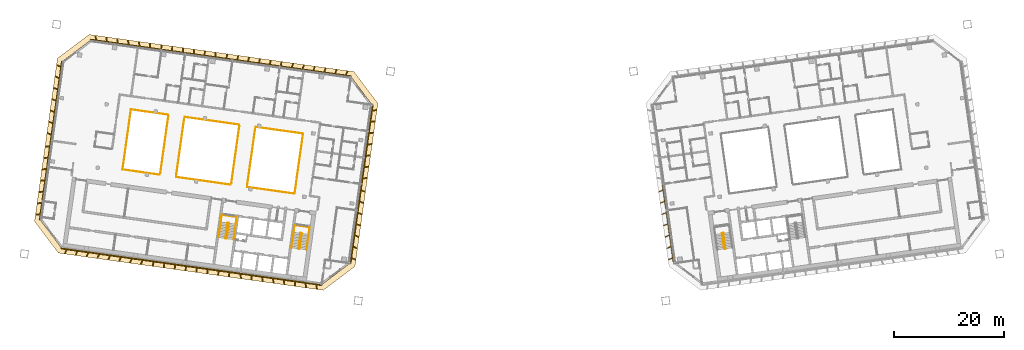
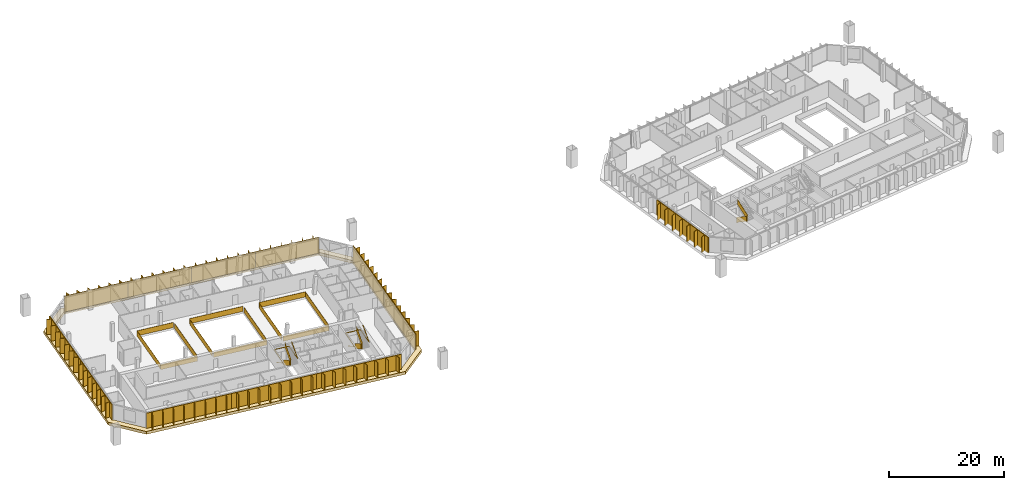
# One storey, part 22 of 23: 13 railings, 12 shading devices, 1 covering.
"""IFC4 building model written with IfcOpenShell, lengths in metres."""

import ifcopenshell
import ifcopenshell.guid

model = None  # the IFC model being written
_history = None  # IfcOwnerHistory: only IFC2X3 demands one
_inside = {}  # id of a spatial element -> (the spatial element, [elements in it])
_under = {}  # id of a project, library or spatial element -> (it, [spatial elements below it])
_declared = {}  # id of a project -> (the project, [libraries it declares])
_typed = {}  # id of a type object -> (the type object, [elements of that type])
_made_of = {}  # id of a material, layer set ... -> (it, [elements and type objects made of it])


def new_model(schema):
    """Start an empty IFC model of exactly this schema.

    Asked for "IFC4X3", IfcOpenShell would pick the latest addendum, in which some entities
    have other attributes; the version numbers below select the first issue.
    IFC2X3 requires an IfcOwnerHistory on every rooted entity: one is made here for all.
    """
    global model, _history
    if schema == "IFC4X3":
        model = ifcopenshell.file(schema_version=(4, 3, 0, 0))
    else:
        model = ifcopenshell.file(schema=schema)
    _inside.clear()
    _under.clear()
    _declared.clear()
    _typed.clear()
    _made_of.clear()
    _history = None
    if model.schema == "IFC2X3":
        org = make("IfcOrganization", Name="unknown")
        user = make(
            "IfcPersonAndOrganization",
            ThePerson=make("IfcPerson", FamilyName="unknown"),
            TheOrganization=org,
        )
        app = make(
            "IfcApplication",
            ApplicationDeveloper=org,
            Version="unknown",
            ApplicationFullName="unknown",
            ApplicationIdentifier="unknown",
        )
        _history = make(
            "IfcOwnerHistory",
            OwningUser=user,
            OwningApplication=app,
            ChangeAction="ADDED",
            CreationDate=0,
        )
    return model


def make(cls, **values):
    """One entity of the class cls with the attributes given. An attribute that is None is left unset."""
    return model.create_entity(
        cls, **{name: value for name, value in values.items() if value is not None}
    )


def rooted(cls, **values):
    """An entity with a GlobalId (a new one), such as an element, a storey or a relation."""
    return make(cls, GlobalId=ifcopenshell.guid.new(), OwnerHistory=_history, **values)


def si_unit(unit_type, name, prefix=None):
    """IfcSIUnit, for example si_unit("LENGTHUNIT", "METRE", prefix="MILLI")."""
    return make("IfcSIUnit", UnitType=unit_type, Prefix=prefix, Name=name)


def assignment(units):
    """IfcUnitAssignment: the units of a project."""
    return None if units is None else make("IfcUnitAssignment", Units=units)


def point(xyz):
    """IfcCartesianPoint."""
    return None if xyz is None else make("IfcCartesianPoint", Coordinates=xyz)


def direction(xyz):
    """IfcDirection."""
    return None if xyz is None else make("IfcDirection", DirectionRatios=xyz)


def frame(location, z_axis=None, x_axis=None):
    """IfcAxis2Placement3D, a coordinate frame: its origin and axes. An axis left out is left unset."""
    return make(
        "IfcAxis2Placement3D",
        Location=point(location),
        Axis=direction(z_axis),
        RefDirection=direction(x_axis),
    )


def frame_2d(location, x_axis=None):
    """IfcAxis2Placement2D, a coordinate frame in the plane: its origin and x axis."""
    return make(
        "IfcAxis2Placement2D", Location=point(location), RefDirection=direction(x_axis)
    )


def origin():
    """The frame at (0, 0, 0) with its axes left unset."""
    return frame((0.0, 0.0, 0.0))


def origin_2d():
    """The frame at (0, 0) in the plane with its x axis left unset."""
    return frame_2d((0.0, 0.0))


def place(relative_to, where):
    """IfcLocalPlacement: puts the frame where relative to a parent placement (None: the world)."""
    return make(
        "IfcLocalPlacement", PlacementRelTo=relative_to, RelativePlacement=where
    )


def context(
    kind, dimensions, precision=None, world=None, true_north=None, identifier=None
):
    """IfcGeometricRepresentationContext, for example the 3D "Model" context."""
    return make(
        "IfcGeometricRepresentationContext",
        ContextIdentifier=identifier,
        ContextType=kind,
        CoordinateSpaceDimension=dimensions,
        Precision=precision,
        WorldCoordinateSystem=world,
        TrueNorth=true_north,
    )


def subcontext(parent, identifier, kind, view, scale=None):
    """IfcGeometricRepresentationSubContext, for example "Body" below "Model"."""
    return make(
        "IfcGeometricRepresentationSubContext",
        ContextIdentifier=identifier,
        ContextType=kind,
        ParentContext=parent,
        TargetScale=scale,
        TargetView=view,
    )


def project(units=None, contexts=None):
    """IfcProject with its units and contexts."""
    return rooted(
        "IfcProject",
        Name="project",
        RepresentationContexts=contexts,
        UnitsInContext=assignment(units),
    )


def spatial(cls, under=None, at=None, **own):
    """A site, building, storey or space (cls), placed at a placement, below another one or the project."""
    s = rooted(cls, ObjectPlacement=at, **own)
    if under is not None:
        _under.setdefault(under.id(), (under, []))[1].append(s)
    return s


def polyline(points):
    """IfcPolyline through the points."""
    return make("IfcPolyline", Points=[point(p) for p in points])


def profile(cls, at=None, kind="AREA", **sizes):
    """A parametric profile (cls). Its sizes go by their IFC names, for example OverallWidth=200.0."""
    return make(cls, ProfileType=kind, Position=at, **sizes)


def rectangle(**sizes):
    """IfcRectangleProfileDef."""
    return profile("IfcRectangleProfileDef", **sizes)


def outline(outer, holes=None, kind="AREA"):
    """IfcArbitraryClosedProfileDef: a profile drawn as a closed curve; with holes, ...WithVoids."""
    if holes is None:
        return make("IfcArbitraryClosedProfileDef", ProfileType=kind, OuterCurve=outer)
    return make(
        "IfcArbitraryProfileDefWithVoids",
        ProfileType=kind,
        OuterCurve=outer,
        InnerCurves=holes,
    )


def extrude(swept, where, along, depth):
    """IfcExtrudedAreaSolid: the profile swept, set in the frame where, extruded along a direction by depth."""
    return make(
        "IfcExtrudedAreaSolid",
        SweptArea=swept,
        Position=where,
        ExtrudedDirection=direction(along),
        Depth=depth,
    )


def shape(context_of_items, identifier, shape_type, items):
    """IfcShapeRepresentation: the items that make up one representation, for example the "Body"."""
    return make(
        "IfcShapeRepresentation",
        ContextOfItems=context_of_items,
        RepresentationIdentifier=identifier,
        RepresentationType=shape_type,
        Items=items,
    )


def material(Name=None, Category=None):
    """IfcMaterial."""
    return make("IfcMaterial", Name=Name, Category=Category)


def layer(
    of_material, thickness, ventilated=None, Name=None, Category=None, Priority=None
):
    """IfcMaterialLayer: one layer of a wall or slab, of a material (None: an air gap)."""
    return make(
        "IfcMaterialLayer",
        Material=of_material,
        LayerThickness=thickness,
        IsVentilated=ventilated,
        Name=Name,
        Category=Category,
        Priority=Priority,
    )


def layer_set(layers, Name=None):
    """IfcMaterialLayerSet."""
    return make("IfcMaterialLayerSet", MaterialLayers=layers, LayerSetName=Name)


def made_of(thing, what):
    """Note that an element or type object is made of a material, layer set ...; save() writes the relation."""
    if what is not None:
        _made_of.setdefault(what.id(), (what, []))[1].append(thing)
    return thing


def type_object(cls, material=None, **own):
    """A type object (cls), such as IfcWallType, which elements share."""
    return made_of(rooted(cls, **own), material)


def element(
    cls,
    number,
    at=None,
    inside=None,
    cuts=None,
    type_object=None,
    material=None,
    context=None,
    identifier="Body",
    shape_type=None,
    held_by="IfcProductDefinitionShape",
    body=None,
    shapes=None,
    **own,
):
    """One element of the class cls, such as IfcWall. Its Tag is "e" and its number.

    at: its placement. inside: the storey or other place that contains it. cuts: it is an
    opening in that element (IfcRelVoidsElement). A single representation is given by context,
    identifier, shape_type and body (its items); several are given by shapes. held_by: the class
    of the entity that holds the representations. save() writes the other relations.
    """
    e = rooted(cls, Tag="e%d" % number, ObjectPlacement=at, **own)
    if body is not None:
        shapes = [shape(context, identifier, shape_type, body)]
    if shapes is not None:
        e.Representation = make(held_by, Representations=shapes)
    if inside is not None:
        _inside.setdefault(inside.id(), (inside, []))[1].append(e)
    if cuts is not None:
        rooted(
            "IfcRelVoidsElement", RelatingBuildingElement=cuts, RelatedOpeningElement=e
        )
    if type_object is not None:
        _typed.setdefault(type_object.id(), (type_object, []))[1].append(e)
    return made_of(e, material)


def aggregate(whole, parts):
    """IfcRelAggregates: a whole, such as a stair, and the parts it consists of."""
    return rooted("IfcRelAggregates", RelatingObject=whole, RelatedObjects=parts)


def save(model, path):
    """Write the relations noted so far, then the file.

    IfcRelAggregates (storeys below a building ...), IfcRelContainedInSpatialStructure (elements
    in a storey), IfcRelDefinesByType, IfcRelAssociatesMaterial and IfcRelDeclares: one each for
    every whole, place, type object, material and project.
    """
    for whole, parts in _under.values():
        aggregate(whole, parts)
    for where, things in _inside.values():
        rooted(
            "IfcRelContainedInSpatialStructure",
            RelatedElements=things,
            RelatingStructure=where,
        )
    for kind, things in _typed.values():
        rooted("IfcRelDefinesByType", RelatedObjects=things, RelatingType=kind)
    for what, things in _made_of.values():
        rooted("IfcRelAssociatesMaterial", RelatedObjects=things, RelatingMaterial=what)
    for by, libraries in _declared.values():
        rooted("IfcRelDeclares", RelatingContext=by, RelatedDefinitions=libraries)
    model.write(path)


model = new_model("IFC4")

# Units and contexts
model_context = context("Model", 3, precision=1e-05, world=origin(), true_north=direction((0.0, 1.0)))
body_context = subcontext(model_context, "Body", "Model", "MODEL_VIEW")
ifc_project = project(units=[si_unit("LENGTHUNIT", "METRE"), si_unit("AREAUNIT", "SQUARE_METRE"), si_unit("VOLUMEUNIT", "CUBIC_METRE"), si_unit("PLANEANGLEUNIT", "RADIAN"), si_unit("MASSUNIT", "GRAM", prefix="KILO")], contexts=[model_context])

# Site, building, storey
site_placement = place(None, origin())
site = spatial("IfcSite", under=ifc_project, at=site_placement, CompositionType="ELEMENT")
building_placement = place(site_placement, origin())
building = spatial("IfcBuilding", under=site, at=building_placement, Name="Mirante Cascada Hotel Towers", CompositionType="ELEMENT")
storey_placement = place(building_placement, frame((0.0, 0.0, 199.2)))
storey = spatial("IfcBuildingStorey", under=building, at=storey_placement, Name="L47", CompositionType="ELEMENT", Elevation=199.2)

# Railings
ifc_material_1 = material(Name="Toughened glass with stainless steel handrail", Category="steel")
railing_type_1 = type_object("IfcRailingType", Name="Atrium guard 1100 glass balustrade", PredefinedType="GUARDRAIL", material=ifc_material_1)
railing_1_placement = place(storey_placement, frame((-46.4429, 7.9856, 0.0)))
element("IfcRailing", 1, at=railing_1_placement, inside=storey, type_object=railing_type_1, Name="GUARD 1-L47-1", PredefinedType="GUARDRAIL", context=body_context, shape_type="SweptSolid", body=[
    extrude(rectangle(XDim=0.048, YDim=0.048, at=origin_2d()), frame((0.0, 0.0, 1.076), z_axis=(0.990268, -0.1391739, 0.0), x_axis=(0.1391739, 0.990268, 0.0)), (0.0, 0.0, 1.0), 8.6726),
    extrude(rectangle(XDim=0.02, YDim=1.052, at=origin_2d()), frame((0.0, 0.0, 0.526), z_axis=(0.990268, -0.1391739, 0.0), x_axis=(0.1391739, 0.990268, 0.0)), (0.0, 0.0, 1.0), 8.6726),
    extrude(rectangle(XDim=0.048, YDim=0.048, at=origin_2d()), frame((8.5882, -1.207, 1.076), z_axis=(-0.1391721, -0.9902682, 0.0), x_axis=(0.9902682, -0.1391721, 0.0)), (0.0, 0.0, 1.0), 11.0001),
    extrude(rectangle(XDim=0.02, YDim=1.052, at=origin_2d()), frame((8.5882, -1.207, 0.526), z_axis=(-0.1391721, -0.9902682, 0.0), x_axis=(0.9902682, -0.1391721, 0.0)), (0.0, 0.0, 1.0), 11.0001),
    extrude(rectangle(XDim=0.048, YDim=0.048, at=origin_2d()), frame((7.0573, -12.1, 1.076), z_axis=(-0.990268, 0.1391739, 0.0), x_axis=(-0.1391739, -0.990268, 0.0)), (0.0, 0.0, 1.0), 8.6726),
    extrude(rectangle(XDim=0.02, YDim=1.052, at=origin_2d()), frame((7.0573, -12.1, 0.526), z_axis=(-0.990268, 0.1391739, 0.0), x_axis=(-0.1391739, -0.990268, 0.0)), (0.0, 0.0, 1.0), 8.6726),
])
railing_2_placement = place(storey_placement, frame((-50.9446, -2.4898, 0.0)))
element("IfcRailing", 2, at=railing_2_placement, inside=storey, type_object=railing_type_1, Name="GUARD 1-L47-2", PredefinedType="GUARDRAIL", context=body_context, shape_type="SweptSolid", body=[
    extrude(rectangle(XDim=0.048, YDim=0.048, at=origin_2d()), frame((0.0, 0.0, 1.076), z_axis=(-0.990269, 0.1391664, 0.0), x_axis=(-0.1391664, -0.990269, 0.0)), (0.0, 0.0, 1.0), 9.9974),
    extrude(rectangle(XDim=0.02, YDim=1.052, at=origin_2d()), frame((0.0, 0.0, 0.526), z_axis=(-0.990269, 0.1391664, 0.0), x_axis=(-0.1391664, -0.990269, 0.0)), (0.0, 0.0, 1.0), 9.9974),
])
railing_3_placement = place(storey_placement, frame((-59.3138, 9.7945, 0.0)))
element("IfcRailing", 3, at=railing_3_placement, inside=storey, type_object=railing_type_1, Name="GUARD 1-L47-3", PredefinedType="GUARDRAIL", context=body_context, shape_type="SweptSolid", body=[
    extrude(rectangle(XDim=0.048, YDim=0.048, at=origin_2d()), frame((0.0, 0.0, 1.076), z_axis=(0.9902676, -0.1391762, 0.0), x_axis=(0.1391762, 0.9902676, 0.0)), (0.0, 0.0, 1.0), 9.9974),
    extrude(rectangle(XDim=0.02, YDim=1.052, at=origin_2d()), frame((0.0, 0.0, 0.526), z_axis=(0.9902676, -0.1391762, 0.0), x_axis=(0.1391762, 0.9902676, 0.0)), (0.0, 0.0, 1.0), 9.9974),
])
railing_4_placement = place(storey_placement, frame((-63.8156, -0.6809, 0.0)))
element("IfcRailing", 4, at=railing_4_placement, inside=storey, type_object=railing_type_1, Name="GUARD 1-L47-4", PredefinedType="GUARDRAIL", context=body_context, shape_type="SweptSolid", body=[
    extrude(rectangle(XDim=0.048, YDim=0.048, at=origin_2d()), frame((0.0, 0.0, 1.076), z_axis=(-0.9902688, 0.1391682, 0.0), x_axis=(-0.1391682, -0.9902688, 0.0)), (0.0, 0.0, 1.0), 6.8299),
    extrude(rectangle(XDim=0.02, YDim=1.052, at=origin_2d()), frame((0.0, 0.0, 0.526), z_axis=(-0.9902688, 0.1391682, 0.0), x_axis=(-0.1391682, -0.9902688, 0.0)), (0.0, 0.0, 1.0), 6.8299),
    extrude(rectangle(XDim=0.048, YDim=0.048, at=origin_2d()), frame((-6.7634, 0.9505, 1.076), z_axis=(0.1391733, 0.990268, 0.0), x_axis=(-0.990268, 0.1391733, 0.0)), (0.0, 0.0, 1.0), 11.0),
    extrude(rectangle(XDim=0.02, YDim=1.052, at=origin_2d()), frame((-6.7634, 0.9505, 0.526), z_axis=(0.1391733, 0.990268, 0.0), x_axis=(-0.990268, 0.1391733, 0.0)), (0.0, 0.0, 1.0), 11.0),
    extrude(rectangle(XDim=0.048, YDim=0.048, at=origin_2d()), frame((-5.2325, 11.8434, 1.076), z_axis=(0.990269, -0.1391662, 0.0), x_axis=(0.1391662, 0.990269, 0.0)), (0.0, 0.0, 1.0), 6.83),
    extrude(rectangle(XDim=0.02, YDim=1.052, at=origin_2d()), frame((-5.2325, 11.8434, 0.526), z_axis=(0.990269, -0.1391662, 0.0), x_axis=(0.1391662, 0.990269, 0.0)), (0.0, 0.0, 1.0), 6.83),
])
railing_5_placement = place(storey_placement, frame((-63.7258, -0.395, 0.0)))
element("IfcRailing", 5, at=railing_5_placement, inside=storey, type_object=railing_type_1, Name="GUARD 1-L47-5", PredefinedType="GUARDRAIL", context=body_context, shape_type="SweptSolid", body=[
    extrude(rectangle(XDim=0.048, YDim=0.048, at=origin_2d()), frame((0.0, 0.0, 1.076), z_axis=(0.1391721, 0.9902682, 0.0), x_axis=(-0.9902682, 0.1391721, 0.0)), (0.0, 0.0, 1.0), 10.4087),
    extrude(rectangle(XDim=0.02, YDim=1.052, at=origin_2d()), frame((0.0, 0.0, 0.526), z_axis=(0.1391721, 0.9902682, 0.0), x_axis=(-0.9902682, 0.1391721, 0.0)), (0.0, 0.0, 1.0), 10.4087),
])
railing_6_placement = place(storey_placement, frame((-59.4036, 9.5085, 0.0)))
element("IfcRailing", 6, at=railing_6_placement, inside=storey, type_object=railing_type_1, Name="GUARD 1-L47-6", PredefinedType="GUARDRAIL", context=body_context, shape_type="SweptSolid", body=[
    extrude(rectangle(XDim=0.048, YDim=0.048, at=origin_2d()), frame((0.0, 0.0, 1.076), z_axis=(-0.1391721, -0.9902682, 0.0), x_axis=(0.9902682, -0.1391721, 0.0)), (0.0, 0.0, 1.0), 10.4087),
    extrude(rectangle(XDim=0.02, YDim=1.052, at=origin_2d()), frame((0.0, 0.0, 0.526), z_axis=(-0.1391721, -0.9902682, 0.0), x_axis=(0.9902682, -0.1391721, 0.0)), (0.0, 0.0, 1.0), 10.4087),
])
railing_7_placement = place(storey_placement, frame((-50.8549, -2.2039, 0.0)))
element("IfcRailing", 7, at=railing_7_placement, inside=storey, type_object=railing_type_1, Name="GUARD 1-L47-7", PredefinedType="GUARDRAIL", context=body_context, shape_type="SweptSolid", body=[
    extrude(rectangle(XDim=0.048, YDim=0.048, at=origin_2d()), frame((0.0, 0.0, 1.076), z_axis=(0.1391721, 0.9902682, 0.0), x_axis=(-0.9902682, 0.1391721, 0.0)), (0.0, 0.0, 1.0), 10.4087),
    extrude(rectangle(XDim=0.02, YDim=1.052, at=origin_2d()), frame((0.0, 0.0, 0.526), z_axis=(0.1391721, 0.9902682, 0.0), x_axis=(-0.9902682, 0.1391721, 0.0)), (0.0, 0.0, 1.0), 10.4087),
])
railing_8_placement = place(storey_placement, frame((-46.5326, 7.6996, 0.0)))
element("IfcRailing", 8, at=railing_8_placement, inside=storey, type_object=railing_type_1, Name="GUARD 1-L47-8", PredefinedType="GUARDRAIL", context=body_context, shape_type="SweptSolid", body=[
    extrude(rectangle(XDim=0.048, YDim=0.048, at=origin_2d()), frame((0.0, 0.0, 1.076), z_axis=(-0.1391721, -0.9902682, 0.0), x_axis=(0.9902682, -0.1391721, 0.0)), (0.0, 0.0, 1.0), 10.4087),
    extrude(rectangle(XDim=0.02, YDim=1.052, at=origin_2d()), frame((0.0, 0.0, 0.526), z_axis=(-0.1391721, -0.9902682, 0.0), x_axis=(0.9902682, -0.1391721, 0.0)), (0.0, 0.0, 1.0), 10.4087),
])

# Covering
ifc_material_2 = material(Name="Precast concrete C40/50 white", Category="concrete")
ifc_layer = layer(ifc_material_2, 0.6)
ifc_layer_set = layer_set([ifc_layer], Name="Precast concrete SUNSHADE band 1000x600")
covering_type = type_object("IfcCoveringType", Name="Precast concrete SUNSHADE band 1000x600", PredefinedType="CLADDING", material=ifc_layer_set)
covering_placement = place(storey_placement, frame((0.0, 0.0, -0.45)))
element("IfcCovering", 9, at=covering_placement, inside=storey, type_object=covering_type, Name="Precast concrete SUNSHADE band T1 L47", PredefinedType="CLADDING", context=body_context, shape_type="SweptSolid", body=[
    extrude(outline(polyline([(-86.5404, -9.1145), (-82.3891, 20.4236), (-76.645, 24.7521), (-28.631, 18.0042), (-24.3025, 12.2601), (-28.4539, -17.2781), (-34.1979, -21.6066), (-82.2119, -14.8586), (-86.5404, -9.1145)]), holes=[polyline([(-25.3505, 11.989), (-29.1804, 17.0715), (-76.374, 23.7042), (-81.4565, 19.8742), (-85.4925, -8.8435), (-81.6626, -13.926), (-34.469, -20.5587), (-29.3865, -16.7287), (-25.3505, 11.989)])]), origin(), (0.0, 0.0, 1.0), 0.6),
])

# Railings
ifc_material_3 = material(Name="Painted steel", Category="steel")
railing_type_2 = type_object("IfcRailingType", Name="Stair guard 1100 steel balustrade", PredefinedType="GUARDRAIL", material=ifc_material_3)
railing_9_placement = place(storey_placement, frame((-38.1178, -11.2603, 0.0)))
element("IfcRailing", 10, at=railing_9_placement, inside=storey, type_object=railing_type_2, Name="L47 ST1-A stair guard 1", PredefinedType="GUARDRAIL", context=body_context, shape_type="SweptSolid", body=[
    extrude(rectangle(XDim=0.048, YDim=0.048, at=origin_2d()), frame((0.0, 0.0, 1.076), z_axis=(-0.9903326, 0.1387133, 0.0), x_axis=(-0.1387133, -0.9903326, 0.0)), (0.0, 0.0, 1.0), 0.1499),
    extrude(rectangle(XDim=0.02, YDim=1.052, at=origin_2d()), frame((0.0, 0.0, 0.526), z_axis=(-0.9903326, 0.1387133, 0.0), x_axis=(-0.1387133, -0.9903326, 0.0)), (0.0, 0.0, 1.0), 0.1499),
    extrude(rectangle(XDim=0.048, YDim=0.048, at=origin_2d()), frame((-0.1485, 0.0208, 1.076), z_axis=(-0.7991505, -0.6011309, 0.0), x_axis=(0.6011309, -0.7991505, 0.0)), (0.0, 0.9254529, 0.3788627), 0.1866),
    extrude(rectangle(XDim=0.02, YDim=1.052, at=origin_2d()), frame((-0.1485, 0.0208, 0.526), z_axis=(-0.7991505, -0.6011309, 0.0), x_axis=(0.6011309, -0.7991505, 0.0)), (0.0, 0.9254529, 0.3788627), 0.1866),
    extrude(rectangle(XDim=0.048, YDim=0.048, at=origin_2d()), frame((-0.205, -0.0217, 1.2487), z_axis=(-0.139176, -0.9902677, 0.0), x_axis=(0.9902677, -0.139176, 0.0)), (0.0, 0.5250212, 0.8510891), 3.29),
    extrude(rectangle(XDim=0.02, YDim=1.052, at=origin_2d()), frame((-0.205, -0.0217, 0.6987), z_axis=(-0.139176, -0.9902677, 0.0), x_axis=(0.9902677, -0.139176, 0.0)), (0.0, 0.5250212, 0.8510891), 3.29),
    extrude(rectangle(XDim=0.048, YDim=0.048, at=origin_2d()), frame((-0.5947, -2.7945, 2.976), z_axis=(0.9270311, -0.3749843, 0.0), x_axis=(0.3749843, 0.9270311, 0.0)), (0.0, 0.0, 1.0), 0.2061),
    extrude(rectangle(XDim=0.02, YDim=1.052, at=origin_2d()), frame((-0.5947, -2.7945, 2.426), z_axis=(0.9270311, -0.3749843, 0.0), x_axis=(0.3749843, 0.9270311, 0.0)), (0.0, 0.0, 1.0), 0.2061),
    extrude(rectangle(XDim=0.048, YDim=0.048, at=origin_2d()), frame((-0.4036, -2.8718, 2.976), z_axis=(-0.9902408, 0.1393672, 0.0), x_axis=(-0.1393672, -0.9902408, 0.0)), (0.0, 0.0, 1.0), 0.15),
    extrude(rectangle(XDim=0.02, YDim=1.052, at=origin_2d()), frame((-0.4036, -2.8718, 2.426), z_axis=(-0.9902408, 0.1393672, 0.0), x_axis=(-0.1393672, -0.9902408, 0.0)), (0.0, 0.0, 1.0), 0.15),
    extrude(rectangle(XDim=0.048, YDim=0.048, at=origin_2d()), frame((-0.5521, -2.8509, 2.976), z_axis=(0.9944948, 0.1047858, 0.0), x_axis=(-0.1047858, 0.9944948, 0.0)), (0.0, 0.6422034, 0.7665343), 0.2689),
    extrude(rectangle(XDim=0.02, YDim=1.052, at=origin_2d()), frame((-0.5521, -2.8509, 2.426), z_axis=(0.9944948, 0.1047858, 0.0), x_axis=(-0.1047858, 0.9944948, 0.0)), (0.0, 0.6422034, 0.7665343), 0.2689),
    extrude(rectangle(XDim=0.048, YDim=0.048, at=origin_2d()), frame((-0.3471, -2.8293, 3.1487), z_axis=(0.139176, 0.9902677, 0.0), x_axis=(-0.9902677, 0.139176, 0.0)), (0.0, 0.5250212, 0.8510891), 3.29),
    extrude(rectangle(XDim=0.02, YDim=1.052, at=origin_2d()), frame((-0.3471, -2.8293, 2.5987), z_axis=(0.139176, 0.9902677, 0.0), x_axis=(-0.9902677, 0.139176, 0.0)), (0.0, 0.5250212, 0.8510891), 3.29),
])
railing_10_placement = place(storey_placement, frame((-51.3379, -9.4024, 0.0)))
element("IfcRailing", 11, at=railing_10_placement, inside=storey, type_object=railing_type_2, Name="L47 ST1-B stair guard 1", PredefinedType="GUARDRAIL", context=body_context, shape_type="SweptSolid", body=[
    extrude(rectangle(XDim=0.048, YDim=0.048, at=origin_2d()), frame((0.0, 0.0, 1.076), z_axis=(-0.9902408, 0.1393672, 0.0), x_axis=(-0.1393672, -0.9902408, 0.0)), (0.0, 0.0, 1.0), 0.15),
    extrude(rectangle(XDim=0.02, YDim=1.052, at=origin_2d()), frame((0.0, 0.0, 0.526), z_axis=(-0.9902408, 0.1393672, 0.0), x_axis=(-0.1393672, -0.9902408, 0.0)), (0.0, 0.0, 1.0), 0.15),
    extrude(rectangle(XDim=0.048, YDim=0.048, at=origin_2d()), frame((-0.1485, 0.0209, 1.076), z_axis=(-0.7984711, -0.6020331, 0.0), x_axis=(0.6020331, -0.7984711, 0.0)), (0.0, 0.9253398, 0.3791387), 0.1866),
    extrude(rectangle(XDim=0.02, YDim=1.052, at=origin_2d()), frame((-0.1485, 0.0209, 0.526), z_axis=(-0.7984711, -0.6020331, 0.0), x_axis=(0.6020331, -0.7984711, 0.0)), (0.0, 0.9253398, 0.3791387), 0.1866),
    extrude(rectangle(XDim=0.048, YDim=0.048, at=origin_2d()), frame((-0.205, -0.0217, 1.2487), z_axis=(-0.139181, -0.990267, 0.0), x_axis=(0.990267, -0.139181, 0.0)), (0.0, 0.5250347, 0.8510808), 3.2899),
    extrude(rectangle(XDim=0.02, YDim=1.052, at=origin_2d()), frame((-0.205, -0.0217, 0.6987), z_axis=(-0.139181, -0.990267, 0.0), x_axis=(0.990267, -0.139181, 0.0)), (0.0, 0.5250347, 0.8510808), 3.2899),
    extrude(rectangle(XDim=0.048, YDim=0.048, at=origin_2d()), frame((-0.5947, -2.7944, 2.976), z_axis=(0.9268624, -0.3754011, 0.0), x_axis=(0.3754011, 0.9268624, 0.0)), (0.0, 0.0, 1.0), 0.2062),
    extrude(rectangle(XDim=0.02, YDim=1.052, at=origin_2d()), frame((-0.5947, -2.7944, 2.426), z_axis=(0.9268624, -0.3754011, 0.0), x_axis=(0.3754011, 0.9268624, 0.0)), (0.0, 0.0, 1.0), 0.2062),
    extrude(rectangle(XDim=0.048, YDim=0.048, at=origin_2d()), frame((-0.4036, -2.8718, 2.976), z_axis=(-0.9902408, 0.1393672, 0.0), x_axis=(-0.1393672, -0.9902408, 0.0)), (0.0, 0.0, 1.0), 0.15),
    extrude(rectangle(XDim=0.02, YDim=1.052, at=origin_2d()), frame((-0.4036, -2.8718, 2.426), z_axis=(-0.9902408, 0.1393672, 0.0), x_axis=(-0.1393672, -0.9902408, 0.0)), (0.0, 0.0, 1.0), 0.15),
    extrude(rectangle(XDim=0.048, YDim=0.048, at=origin_2d()), frame((-0.5521, -2.8509, 2.976), z_axis=(0.9944441, 0.1052656, 0.0), x_axis=(-0.1052656, 0.9944441, 0.0)), (0.0, 0.6421842, 0.7665504), 0.2689),
    extrude(rectangle(XDim=0.02, YDim=1.052, at=origin_2d()), frame((-0.5521, -2.8509, 2.426), z_axis=(0.9944441, 0.1052656, 0.0), x_axis=(-0.1052656, 0.9944441, 0.0)), (0.0, 0.6421842, 0.7665504), 0.2689),
    extrude(rectangle(XDim=0.048, YDim=0.048, at=origin_2d()), frame((-0.3471, -2.8292, 3.1487), z_axis=(0.139181, 0.990267, 0.0), x_axis=(-0.990267, 0.139181, 0.0)), (0.0, 0.5250347, 0.8510808), 3.2899),
    extrude(rectangle(XDim=0.02, YDim=1.052, at=origin_2d()), frame((-0.3471, -2.8292, 2.5987), z_axis=(0.139181, 0.990267, 0.0), x_axis=(-0.990267, 0.139181, 0.0)), (0.0, 0.5250347, 0.8510808), 3.2899),
])
railing_11_placement = place(storey_placement, frame((38.2663, -11.2395, 0.0)))
element("IfcRailing", 12, at=railing_11_placement, inside=storey, type_object=railing_type_2, Name="L47 ST2-A stair guard 1", PredefinedType="GUARDRAIL", context=body_context, shape_type="SweptSolid", body=[
    extrude(rectangle(XDim=0.048, YDim=0.048, at=origin_2d()), frame((0.0, 0.0, 1.076), z_axis=(-0.9903326, -0.1387133, 0.0), x_axis=(0.1387133, -0.9903326, 0.0)), (0.0, 0.0, 1.0), 0.1499),
    extrude(rectangle(XDim=0.02, YDim=1.052, at=origin_2d()), frame((0.0, 0.0, 0.526), z_axis=(-0.9903326, -0.1387133, 0.0), x_axis=(0.1387133, -0.9903326, 0.0)), (0.0, 0.0, 1.0), 0.1499),
    extrude(rectangle(XDim=0.048, YDim=0.048, at=origin_2d()), frame((-0.1485, -0.0208, 1.076), z_axis=(-0.6020331, -0.7984711, 0.0), x_axis=(0.7984711, -0.6020331, 0.0)), (0.0, 0.9253398, 0.3791387), 0.1866),
    extrude(rectangle(XDim=0.02, YDim=1.052, at=origin_2d()), frame((-0.1485, -0.0208, 0.526), z_axis=(-0.6020331, -0.7984711, 0.0), x_axis=(0.7984711, -0.6020331, 0.0)), (0.0, 0.9253398, 0.3791387), 0.1866),
    extrude(rectangle(XDim=0.048, YDim=0.048, at=origin_2d()), frame((-0.1911, -0.0773, 1.2487), z_axis=(0.139176, -0.9902677, 0.0), x_axis=(0.9902677, 0.139176, 0.0)), (0.0, 0.5250212, 0.8510891), 3.29),
    extrude(rectangle(XDim=0.02, YDim=1.052, at=origin_2d()), frame((-0.1911, -0.0773, 0.6987), z_axis=(0.139176, -0.9902677, 0.0), x_axis=(0.9902677, 0.139176, 0.0)), (0.0, 0.5250212, 0.8510891), 3.29),
    extrude(rectangle(XDim=0.048, YDim=0.048, at=origin_2d()), frame((0.1986, -2.8501, 2.976), z_axis=(0.9944948, -0.1047858, 0.0), x_axis=(0.1047858, 0.9944948, 0.0)), (0.0, 0.0, 1.0), 0.2061),
    extrude(rectangle(XDim=0.02, YDim=1.052, at=origin_2d()), frame((0.1986, -2.8501, 2.426), z_axis=(0.9944948, -0.1047858, 0.0), x_axis=(0.1047858, 0.9944948, 0.0)), (0.0, 0.0, 1.0), 0.2061),
    extrude(rectangle(XDim=0.048, YDim=0.048, at=origin_2d()), frame((0.4036, -2.8717, 2.976), z_axis=(-0.9902408, -0.1393672, 0.0), x_axis=(0.1393672, -0.9902408, 0.0)), (0.0, 0.0, 1.0), 0.15),
    extrude(rectangle(XDim=0.02, YDim=1.052, at=origin_2d()), frame((0.4036, -2.8717, 2.426), z_axis=(-0.9902408, -0.1393672, 0.0), x_axis=(0.1393672, -0.9902408, 0.0)), (0.0, 0.0, 1.0), 0.15),
    extrude(rectangle(XDim=0.048, YDim=0.048, at=origin_2d()), frame((0.2551, -2.8926, 2.976), z_axis=(0.9270311, 0.3749843, 0.0), x_axis=(-0.3749843, 0.9270311, 0.0)), (0.0, 0.6421903, 0.7665452), 0.2689),
    extrude(rectangle(XDim=0.02, YDim=1.052, at=origin_2d()), frame((0.2551, -2.8926, 2.426), z_axis=(0.9270311, 0.3749843, 0.0), x_axis=(-0.3749843, 0.9270311, 0.0)), (0.0, 0.6421903, 0.7665452), 0.2689),
    extrude(rectangle(XDim=0.048, YDim=0.048, at=origin_2d()), frame((0.4462, -2.8153, 3.1487), z_axis=(-0.139176, 0.9902677, 0.0), x_axis=(-0.9902677, -0.139176, 0.0)), (0.0, 0.5250212, 0.8510891), 3.29),
    extrude(rectangle(XDim=0.02, YDim=1.052, at=origin_2d()), frame((0.4462, -2.8153, 2.5987), z_axis=(-0.139176, 0.9902677, 0.0), x_axis=(-0.9902677, -0.139176, 0.0)), (0.0, 0.5250212, 0.8510891), 3.29),
])
ifc_material_4 = material(Name="Painted steel", Category="steel")
railing_type_3 = type_object("IfcRailingType", Name="Stair handrail 900 steel tube", PredefinedType="HANDRAIL", material=ifc_material_4)
railing_12_placement = place(storey_placement, frame((-39.5606, -11.1081, 0.1727)))
element("IfcRailing", 13, at=railing_12_placement, inside=storey, type_object=railing_type_3, Name="L47 ST1-A stair handrail 1", PredefinedType="HANDRAIL", context=body_context, shape_type="SweptSolid", body=[
    extrude(rectangle(XDim=0.048, YDim=0.048, at=origin_2d()), frame((0.0, 0.0, 0.876), z_axis=(-0.139181, -0.990267, 0.0), x_axis=(0.990267, -0.139181, 0.0)), (0.0, 0.5250347, 0.8510808), 3.2899),
    extrude(rectangle(XDim=0.048, YDim=0.048, at=origin_2d()), frame((-0.3897, -2.7727, 2.6033), z_axis=(0.1391707, 0.9902684, 0.0), x_axis=(-0.9902684, 0.1391707, 0.0)), (0.0, 0.0420846, 0.999114), 4.1036),
    extrude(rectangle(XDim=0.048, YDim=0.048, at=origin_2d()), frame((0.1809, 1.2874, 2.776), z_axis=(0.9902691, -0.1391657, 0.0), x_axis=(0.1391657, 0.9902691, 0.0)), (0.0, 0.0, 1.0), 2.75),
    extrude(rectangle(XDim=0.048, YDim=0.048, at=origin_2d()), frame((2.9041, 0.9047, 2.776), z_axis=(-0.1391707, -0.9902684, 0.0), x_axis=(0.9902684, -0.1391707, 0.0)), (0.0, 0.0, 1.0), 4.1),
    extrude(rectangle(XDim=0.048, YDim=0.048, at=origin_2d()), frame((2.3335, -3.1554, 2.776), z_axis=(0.139181, 0.990267, 0.0), x_axis=(-0.990267, 0.139181, 0.0)), (0.0, 0.5250347, 0.8510808), 3.2899),
])
railing_13_placement = place(storey_placement, frame((-52.7807, -9.2501, 0.1727)))
element("IfcRailing", 14, at=railing_13_placement, inside=storey, type_object=railing_type_3, Name="L47 ST1-B stair handrail 1", PredefinedType="HANDRAIL", context=body_context, shape_type="SweptSolid", body=[
    extrude(rectangle(XDim=0.048, YDim=0.048, at=origin_2d()), frame((0.0, 0.0, 0.876), z_axis=(-0.139181, -0.990267, 0.0), x_axis=(0.990267, -0.139181, 0.0)), (0.0, 0.5250347, 0.8510808), 3.2899),
    extrude(rectangle(XDim=0.048, YDim=0.048, at=origin_2d()), frame((-0.3897, -2.7727, 2.6033), z_axis=(0.1391707, 0.9902684, 0.0), x_axis=(-0.9902684, 0.1391707, 0.0)), (0.0, 0.0420846, 0.999114), 4.1036),
    extrude(rectangle(XDim=0.048, YDim=0.048, at=origin_2d()), frame((0.1809, 1.2874, 2.776), z_axis=(0.9902641, -0.1392013, 0.0), x_axis=(0.1392013, 0.9902641, 0.0)), (0.0, 0.0, 1.0), 2.75),
    extrude(rectangle(XDim=0.048, YDim=0.048, at=origin_2d()), frame((2.9041, 0.9046, 2.776), z_axis=(-0.1391707, -0.9902684, 0.0), x_axis=(0.9902684, -0.1391707, 0.0)), (0.0, 0.0, 1.0), 4.1),
    extrude(rectangle(XDim=0.048, YDim=0.048, at=origin_2d()), frame((2.3335, -3.1555, 2.776), z_axis=(0.139176, 0.9902677, 0.0), x_axis=(-0.9902677, 0.139176, 0.0)), (0.0, 0.5250212, 0.8510891), 3.29),
])

# Shading devices
ifc_material_5 = material(Name="White precast concrete C50/60 fin", Category="concrete")
shading_device_type = type_object("IfcShadingDeviceType", Name="Vertical fin set 4500x900", PredefinedType="USERDEFINED", material=ifc_material_5)
shading_device_1_placement = place(storey_placement, origin())
element("IfcShadingDevice", 15, at=shading_device_1_placement, inside=storey, type_object=shading_device_type, Name="FIN T1 L47 front 1", ObjectType="FIN", PredefinedType="USERDEFINED", context=body_context, shape_type="SweptSolid", body=[
    extrude(outline(polyline([(-65.6148, 23.1814), (-65.5102, 22.3288), (-64.5547, 22.1945), (-64.5756, 22.046), (-76.374, 23.7042), (-76.3531, 23.8527), (-75.4242, 23.7222), (-75.5262, 24.5534), (-75.4468, 24.5632), (-75.3422, 23.7106), (-73.4578, 23.4458), (-73.5598, 24.2771), (-73.4804, 24.2868), (-73.3758, 23.4343), (-71.4914, 23.1694), (-71.5934, 24.0007), (-71.514, 24.0105), (-71.4094, 23.1579), (-69.525, 22.8931), (-69.627, 23.7243), (-69.5476, 23.7341), (-69.443, 22.8815), (-67.5586, 22.6167), (-67.6606, 23.448), (-67.5812, 23.4577), (-67.4766, 22.6052), (-65.5922, 22.3404), (-65.6942, 23.1716), (-65.6148, 23.1814)])), origin(), (0.0, 0.0, 1.0), 3.35),
])
shading_device_2_placement = place(storey_placement, origin())
element("IfcShadingDevice", 16, at=shading_device_2_placement, inside=storey, type_object=shading_device_type, Name="FIN T1 L47 front 2", ObjectType="FIN", PredefinedType="USERDEFINED", context=body_context, shape_type="SweptSolid", body=[
    extrude(outline(polyline([(-53.6594, 21.5217), (-53.7041, 20.6696), (-52.7563, 20.5364), (-52.7772, 20.3878), (-64.5756, 22.046), (-64.5547, 22.1945), (-63.6156, 22.0626), (-63.5713, 22.9077), (-63.4914, 22.9035), (-63.5361, 22.0514), (-61.6492, 21.7862), (-61.6049, 22.6314), (-61.525, 22.6272), (-61.5697, 21.775), (-59.6828, 21.5098), (-59.6385, 22.355), (-59.5586, 22.3508), (-59.6033, 21.4987), (-57.7164, 21.2335), (-57.6721, 22.0786), (-57.5922, 22.0744), (-57.6369, 21.2223), (-55.75, 20.9571), (-55.7057, 21.8023), (-55.6258, 21.7981), (-55.6705, 20.9459), (-53.7836, 20.6808), (-53.7393, 21.5259), (-53.6594, 21.5217)])), origin(), (0.0, 0.0, 1.0), 3.35),
])
shading_device_3_placement = place(storey_placement, origin())
element("IfcShadingDevice", 17, at=shading_device_3_placement, inside=storey, type_object=shading_device_type, Name="FIN T1 L47 front 3", ObjectType="FIN", PredefinedType="USERDEFINED", context=body_context, shape_type="SweptSolid", body=[
    extrude(outline(polyline([(-41.7066, 19.8348), (-41.897, 19.0102), (-40.9579, 18.8782), (-40.9788, 18.7297), (-52.7772, 20.3878), (-52.7563, 20.5364), (-51.8085, 20.4032), (-51.6166, 21.2346), (-51.5386, 21.2166), (-51.729, 20.392), (-49.8421, 20.1268), (-49.6502, 20.9583), (-49.5722, 20.9403), (-49.7626, 20.1157), (-47.8757, 19.8505), (-47.6838, 20.6819), (-47.6058, 20.6639), (-47.7962, 19.8393), (-45.9093, 19.5741), (-45.7174, 20.4055), (-45.6394, 20.3876), (-45.8298, 19.5629), (-43.9429, 19.2977), (-43.751, 20.1292), (-43.673, 20.1112), (-43.8634, 19.2866), (-41.9765, 19.0214), (-41.7846, 19.8528), (-41.7066, 19.8348)])), origin(), (0.0, 0.0, 1.0), 3.35),
])
shading_device_4_placement = place(storey_placement, origin())
element("IfcShadingDevice", 18, at=shading_device_4_placement, inside=storey, type_object=shading_device_type, Name="FIN T1 L47 front 4", ObjectType="FIN", PredefinedType="USERDEFINED", context=body_context, shape_type="SweptSolid", body=[
    extrude(outline(polyline([(-29.7612, 18.1216), (-30.0884, 17.3506), (-29.1595, 17.2201), (-29.1804, 17.0715), (-40.9788, 18.7297), (-40.9579, 18.8782), (-40.0024, 18.744), (-39.6668, 19.5346), (-39.5932, 19.5034), (-39.9204, 18.7324), (-38.036, 18.4676), (-37.7004, 19.2583), (-37.6268, 19.227), (-37.954, 18.4561), (-36.0696, 18.1912), (-35.734, 18.9819), (-35.6604, 18.9506), (-35.9876, 18.1797), (-34.1032, 17.9149), (-33.7676, 18.7055), (-33.694, 18.6743), (-34.0212, 17.9033), (-32.1368, 17.6385), (-31.8012, 18.4292), (-31.7276, 18.3979), (-32.0548, 17.627), (-30.1704, 17.3622), (-29.8348, 18.1528), (-29.7612, 18.1216)])), origin(), (0.0, 0.0, 1.0), 3.35),
])
shading_device_5_placement = place(storey_placement, origin())
element("IfcShadingDevice", 19, at=shading_device_5_placement, inside=storey, type_object=shading_device_type, Name="FIN T1 L47 inner 1", ObjectType="FIN", PredefinedType="USERDEFINED", context=body_context, shape_type="SweptSolid", body=[
    extrude(outline(polyline([(-27.0797, -1.3928), (-27.2199, -2.3907), (-27.3685, -2.3698), (-25.3505, 11.989), (-25.2019, 11.9682), (-25.3384, 10.9968), (-24.5072, 11.0989), (-24.4974, 11.0195), (-25.35, 10.9148), (-25.6267, 8.9455), (-24.7954, 9.0476), (-24.7857, 8.9682), (-25.6382, 8.8635), (-25.915, 6.8943), (-25.0837, 6.9963), (-25.074, 6.9169), (-25.9265, 6.8123), (-26.2033, 4.843), (-25.372, 4.9451), (-25.3623, 4.8657), (-26.2148, 4.761), (-26.4916, 2.7917), (-25.6603, 2.8938), (-25.6506, 2.8144), (-26.5031, 2.7097), (-26.7799, 0.7405), (-25.9486, 0.8425), (-25.9388, 0.7631), (-26.7914, 0.6584), (-27.0682, -1.3108), (-26.2369, -1.2087), (-26.2271, -1.2881), (-27.0797, -1.3928)])), origin(), (0.0, 0.0, 1.0), 3.35),
])
shading_device_6_placement = place(storey_placement, origin())
element("IfcShadingDevice", 20, at=shading_device_6_placement, inside=storey, type_object=shading_device_type, Name="FIN T1 L47 inner 2", ObjectType="FIN", PredefinedType="USERDEFINED", context=body_context, shape_type="SweptSolid", body=[
    extrude(outline(polyline([(-29.1014, -15.7782), (-29.2379, -16.7496), (-29.3865, -16.7287), (-27.3685, -2.3698), (-27.2199, -2.3907), (-27.3602, -3.3886), (-26.5695, -3.7242), (-26.6008, -3.7979), (-27.3717, -3.4706), (-27.6485, -5.4399), (-26.8578, -5.7755), (-26.889, -5.8491), (-27.66, -5.5219), (-27.9367, -7.4911), (-27.1461, -7.8268), (-27.1773, -7.9004), (-27.9483, -7.5732), (-28.225, -9.5424), (-27.4344, -9.878), (-27.4656, -9.9517), (-28.2366, -9.6244), (-28.5133, -11.5937), (-27.7226, -11.9293), (-27.7539, -12.0029), (-28.5248, -11.6757), (-28.8016, -13.645), (-28.0109, -13.9806), (-28.0422, -14.0542), (-28.8131, -13.727), (-29.0899, -15.6962), (-28.2992, -16.0318), (-28.3305, -16.1055), (-29.1014, -15.7782)])), origin(), (0.0, 0.0, 1.0), 3.35),
])
shading_device_7_placement = place(storey_placement, origin())
element("IfcShadingDevice", 21, at=shading_device_7_placement, inside=storey, type_object=shading_device_type, Name="FIN T1 L47 outer 1", ObjectType="FIN", PredefinedType="USERDEFINED", context=body_context, shape_type="SweptSolid", body=[
    extrude(outline(polyline([(-85.493, -7.7693), (-85.2162, -5.8), (-86.0475, -5.9021), (-86.0572, -5.8227), (-85.2047, -5.718), (-84.9279, -3.7488), (-85.7592, -3.8508), (-85.769, -3.7714), (-84.9164, -3.6667), (-84.6396, -1.6975), (-85.4709, -1.7996), (-85.4807, -1.7202), (-84.6281, -1.6155), (-84.3514, 0.3538), (-85.1826, 0.2517), (-85.1924, 0.3311), (-84.3398, 0.4358), (-84.0631, 2.405), (-84.8943, 2.303), (-84.9041, 2.3824), (-84.0515, 2.4871), (-83.7748, 4.4563), (-84.6061, 4.3542), (-84.6158, 4.4336), (-83.7633, 4.5383), (-83.623, 5.5362), (-83.4745, 5.5153), (-85.4925, -8.8435), (-85.641, -8.8227), (-85.5045, -7.8513), (-86.3358, -7.9534), (-86.3455, -7.874), (-85.493, -7.7693)])), origin(), (0.0, 0.0, 1.0), 3.35),
])
shading_device_8_placement = place(storey_placement, origin())
element("IfcShadingDevice", 22, at=shading_device_8_placement, inside=storey, type_object=shading_device_type, Name="FIN T1 L47 outer 2", ObjectType="FIN", PredefinedType="USERDEFINED", context=body_context, shape_type="SweptSolid", body=[
    extrude(outline(polyline([(-83.4712, 6.6161), (-83.1945, 8.5854), (-83.9852, 8.921), (-83.9539, 8.9946), (-83.183, 8.6674), (-82.9062, 10.6367), (-83.6969, 10.9723), (-83.6656, 11.0459), (-82.8947, 10.7187), (-82.6179, 12.6879), (-83.4086, 13.0235), (-83.3773, 13.0972), (-82.6064, 12.7699), (-82.3296, 14.7392), (-83.1203, 15.0748), (-83.089, 15.1485), (-82.3181, 14.8212), (-82.0413, 16.7905), (-82.832, 17.1261), (-82.8007, 17.1997), (-82.0298, 16.8725), (-81.753, 18.8417), (-82.5437, 19.1774), (-82.5125, 19.251), (-81.7415, 18.9238), (-81.605, 19.8951), (-81.4565, 19.8742), (-83.4745, 5.5153), (-83.623, 5.5362), (-83.4828, 6.5341), (-84.2734, 6.8697), (-84.2422, 6.9434), (-83.4712, 6.6161)])), origin(), (0.0, 0.0, 1.0), 3.35),
])
shading_device_9_placement = place(storey_placement, origin())
element("IfcShadingDevice", 23, at=shading_device_9_placement, inside=storey, type_object=shading_device_type, Name="FIN T1 L47 rear 1", ObjectType="FIN", PredefinedType="USERDEFINED", context=body_context, shape_type="SweptSolid", body=[
    extrude(outline(polyline([(-35.5008, -20.5651), (-37.3852, -20.3003), (-37.2831, -21.1316), (-37.3625, -21.1413), (-37.4672, -20.2888), (-39.3516, -20.0239), (-39.2495, -20.8552), (-39.3289, -20.8649), (-39.4336, -20.0124), (-41.318, -19.7476), (-41.2159, -20.5788), (-41.2953, -20.5886), (-41.4, -19.736), (-43.2844, -19.4712), (-43.1823, -20.3025), (-43.2617, -20.3122), (-43.3664, -19.4597), (-45.2508, -19.1948), (-45.1487, -20.0261), (-45.2281, -20.0359), (-45.3328, -19.1833), (-47.2172, -18.9185), (-47.1151, -19.7498), (-47.1945, -19.7595), (-47.2992, -18.907), (-49.1836, -18.6421), (-49.0815, -19.4734), (-49.1609, -19.4831), (-49.2656, -18.6306), (-50.221, -18.4963), (-50.2002, -18.3478), (-34.469, -20.5587), (-34.4898, -20.7072), (-35.4188, -20.5766), (-35.3167, -21.4079), (-35.3961, -21.4177), (-35.5008, -20.5651)])), origin(), (0.0, 0.0, 1.0), 3.35),
])
shading_device_10_placement = place(storey_placement, origin())
element("IfcShadingDevice", 24, at=shading_device_10_placement, inside=storey, type_object=shading_device_type, Name="FIN T1 L47 rear 2", ObjectType="FIN", PredefinedType="USERDEFINED", context=body_context, shape_type="SweptSolid", body=[
    extrude(outline(polyline([(-51.2438, -18.3526), (-53.131, -18.0873), (-53.2493, -18.9291), (-53.3285, -18.9179), (-53.2102, -18.0762), (-55.0974, -17.811), (-55.2157, -18.6527), (-55.2949, -18.6416), (-55.1766, -17.7999), (-57.0638, -17.5346), (-57.1821, -18.3764), (-57.2613, -18.3652), (-57.143, -17.5235), (-59.0302, -17.2583), (-59.1485, -18.1), (-59.2277, -18.0889), (-59.1094, -17.2471), (-60.9966, -16.9819), (-61.1149, -17.8236), (-61.1941, -17.8125), (-61.0758, -16.9708), (-62.963, -16.7055), (-63.0813, -17.5473), (-63.1605, -17.5361), (-63.0422, -16.6944), (-64.9294, -16.4292), (-65.0477, -17.2709), (-65.1269, -17.2598), (-65.0086, -16.4181), (-65.9522, -16.2854), (-65.9314, -16.1369), (-50.2002, -18.3478), (-50.221, -18.4963), (-51.1646, -18.3637), (-51.2829, -19.2054), (-51.3621, -19.1943), (-51.2438, -18.3526)])), origin(), (0.0, 0.0, 1.0), 3.35),
])
shading_device_11_placement = place(storey_placement, origin())
element("IfcShadingDevice", 25, at=shading_device_11_placement, inside=storey, type_object=shading_device_type, Name="FIN T1 L47 rear 3", ObjectType="FIN", PredefinedType="USERDEFINED", context=body_context, shape_type="SweptSolid", body=[
    extrude(outline(polyline([(-66.9897, -16.1396), (-68.8741, -15.8748), (-69.2097, -16.6655), (-69.2834, -16.6342), (-68.9561, -15.8633), (-70.8405, -15.5984), (-71.1761, -16.3891), (-71.2498, -16.3579), (-70.9225, -15.5869), (-72.8069, -15.3221), (-73.1425, -16.1128), (-73.2162, -16.0815), (-72.8889, -15.3106), (-74.7733, -15.0457), (-75.1089, -15.8364), (-75.1826, -15.8051), (-74.8553, -15.0342), (-76.7397, -14.7694), (-77.0753, -15.56), (-77.149, -15.5288), (-76.8217, -14.7578), (-78.7061, -14.493), (-79.0417, -15.2837), (-79.1154, -15.2524), (-78.7881, -14.4815), (-80.6725, -14.2166), (-81.0081, -15.0073), (-81.0818, -14.9761), (-80.7545, -14.2051), (-81.6834, -14.0746), (-81.6626, -13.926), (-65.9314, -16.1369), (-65.9522, -16.2854), (-66.9077, -16.1512), (-67.2433, -16.9418), (-67.317, -16.9106), (-66.9897, -16.1396)])), origin(), (0.0, 0.0, 1.0), 3.35),
])
shading_device_12_placement = place(storey_placement, origin())
element("IfcShadingDevice", 26, at=shading_device_12_placement, inside=storey, type_object=shading_device_type, Name="FIN T2 L47 inner 2", ObjectType="FIN", PredefinedType="USERDEFINED", context=body_context, shape_type="SweptSolid", body=[
    extrude(outline(polyline([(28.2992, -16.0318), (29.0899, -15.6962), (28.8131, -13.727), (28.0422, -14.0542), (28.0109, -13.9806), (28.8016, -13.645), (28.5248, -11.6757), (27.7539, -12.0029), (27.7226, -11.9293), (28.5133, -11.5937), (28.2366, -9.6244), (27.4656, -9.9517), (27.4344, -9.878), (28.225, -9.5424), (27.9483, -7.5732), (27.1773, -7.9004), (27.1461, -7.8268), (27.9367, -7.4911), (27.66, -5.5219), (26.889, -5.8491), (26.8578, -5.7755), (27.6485, -5.4399), (27.3717, -3.4706), (26.6008, -3.7979), (26.5695, -3.7242), (27.3602, -3.3886), (27.2199, -2.3907), (27.3685, -2.3698), (29.3865, -16.7287), (29.2379, -16.7496), (29.1014, -15.7782), (28.3305, -16.1055), (28.2992, -16.0318)])), origin(), (0.0, 0.0, 1.0), 3.35),
])

save(model, "model.ifc")
